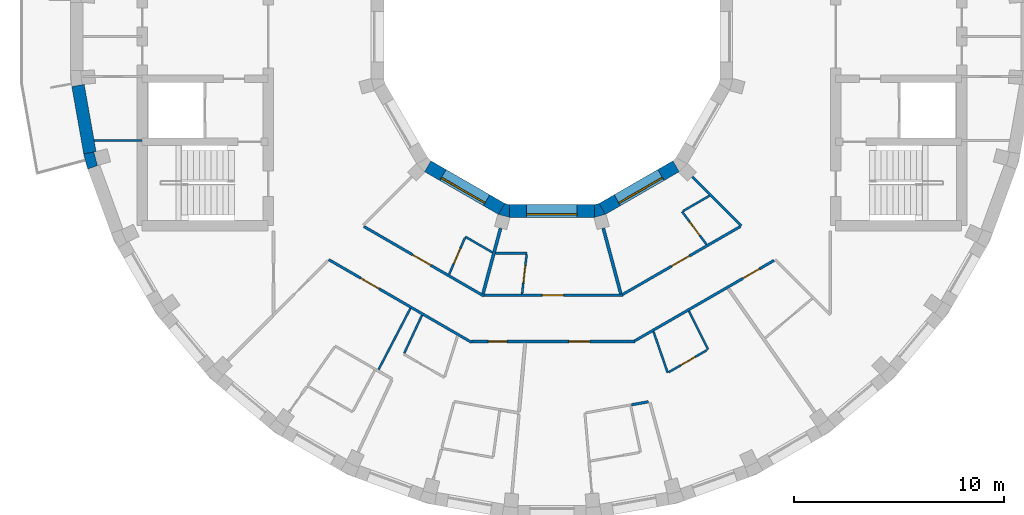
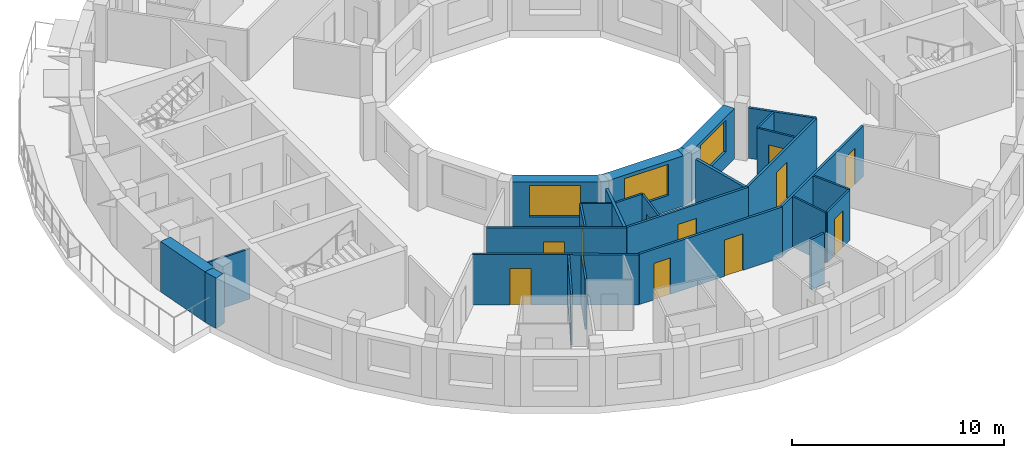
# One storey, part 3 of 10: 29 walls, 11 doors, 3 windows, 14 openings.
"""IFC4 building model written with IfcOpenShell, lengths in metres."""

from ifc_helpers import new_model, si_unit, direction, frame, frame_2d, origin, place, context, subcontext, project, spatial, polyline, rectangle, outline, extrude, material, layer, layer_set, type_object, element, fill, save


model = new_model("IFC4")

# Units and contexts
model_context = context("Model", 3, precision=1e-05, world=origin(), true_north=direction((0.0, 1.0)))
body_context = subcontext(model_context, "Body", "Model", "MODEL_VIEW")
ifc_project = project(units=[si_unit("LENGTHUNIT", "METRE"), si_unit("AREAUNIT", "SQUARE_METRE"), si_unit("VOLUMEUNIT", "CUBIC_METRE"), si_unit("PLANEANGLEUNIT", "RADIAN"), si_unit("MASSUNIT", "GRAM", prefix="KILO")], contexts=[model_context])

# Site, building, storey
site_placement = place(None, origin())
site = spatial("IfcSite", under=ifc_project, at=site_placement, CompositionType="ELEMENT")
building_placement = place(site_placement, origin())
building = spatial("IfcBuilding", under=site, at=building_placement, Name="Saqina Gate Tower", CompositionType="ELEMENT")
storey_placement = place(building_placement, frame((0.0, 0.0, 242.89990234375)))
storey = spatial("IfcBuildingStorey", under=building, at=storey_placement, Name="L69", CompositionType="ELEMENT", Elevation=242.89990234375)

# Walls
ifc_material_1 = material(Name="Brick masonry (buff)", Category="masonry")
wall_type_1 = type_object("IfcWallType", Name="BRICK PIER COPING BUFF", PredefinedType="SOLIDWALL", material=ifc_material_1)
wall_1_placement = place(storey_placement, origin())
element("IfcWall", 1, at=wall_1_placement, inside=storey, type_object=wall_type_1, Name="Pier cap L69 column 20", PredefinedType="SOLIDWALL", context=body_context, shape_type="SweptSolid", body=[
    extrude(outline(polyline([(-22.0869140625, -6.30859375), (-21.52294921875, -6.103515625), (-21.625, -6.130859375), (-21.793212890625, -5.5029296875), (-21.691162109375, -5.4755859375), (-22.281982421875, -5.579833984375), (-22.0869140625, -6.30859375)])), origin(), (0.0, 0.0, 1.0), 2.900146484375),
])
ifc_material_2 = material(Name="Gypsum board on steel studs", Category="steel")
ifc_layer_1 = layer(ifc_material_2, 0.10009765625)
ifc_layer_set_1 = layer_set([ifc_layer_1], Name="CORE PARTITION")
wall_type_2 = type_object("IfcWallType", Name="CORE PARTITION", PredefinedType="PARTITIONING", material=ifc_layer_set_1)
wall_2_placement = place(storey_placement, frame((-19.5, -4.949951171875, 0.0), z_axis=(0.0, 0.0, 1.0), x_axis=(-1.0, 0.0, 0.0)))
element("IfcWall", 2, at=wall_2_placement, inside=storey, type_object=wall_type_2, Name="L69-CP-W04", PredefinedType="PARTITIONING", context=body_context, shape_type="SweptSolid", body=[
    extrude(rectangle(XDim=2.283935546875, YDim=0.10009765625, at=frame_2d((1.14208984375, 0.0))), origin(), (0.0, 0.0, 1.0), 2.900146484375),
])
ifc_material_3 = material(Name="Glazed ceramic tile (white)", Category="ceramic")
ifc_layer_2 = layer(ifc_material_3, 0.60009765625)
ifc_layer_set_2 = layer_set([ifc_layer_2], Name="FW-TILE-WH")
wall_type_3 = type_object("IfcWallType", Name="FW-TILE-WH", PredefinedType="SOLIDWALL", material=ifc_layer_set_2)
wall_3_placement = place(storey_placement, frame((-22.55126953125, -2.325439453125, 0.0), z_axis=(0.0, 0.0, 1.0), x_axis=(0.173656842178, -0.984806225186, 0.0)))
element("IfcWall", 3, at=wall_3_placement, inside=storey, type_object=wall_type_3, Name="Facade wall L69 facet 19", PredefinedType="SOLIDWALL", context=body_context, shape_type="SweptSolid", body=[
    extrude(rectangle(XDim=3.251708984375, YDim=0.60009765625, at=frame_2d((1.6259765625, 0.0))), origin(), (0.0, 0.0, 1.0), 2.900146484375),
])

# Wall, opening, window
ifc_material_4 = material(Name="Glazed ceramic tile", Category="ceramic")
ifc_layer_3 = layer(ifc_material_4, 0.60009765625)
ifc_layer_set_3 = layer_set([ifc_layer_3], Name="IW-TILE")
wall_type_4 = type_object("IfcWallType", Name="IW-TILE", PredefinedType="SOLIDWALL", material=ifc_layer_set_3)
wall_4_placement = place(storey_placement, frame((-5.907470703125, -6.17333984375, 0.0), z_axis=(0.0, 0.0, 1.0), x_axis=(0.866028316509, -0.499994954979, 0.0)))
wall_4 = element("IfcWall", 4, at=wall_4_placement, inside=storey, type_object=wall_type_4, Name="Well wall L69 facet 8", PredefinedType="SOLIDWALL", context=body_context, shape_type="SweptSolid", body=[
    extrude(rectangle(XDim=4.05859375, YDim=0.60009765625, at=frame_2d((2.029296875, 0.0))), origin(), (0.0, 0.0, 1.0), 2.900146484375),
])
opening_1_placement = place(wall_4_placement, frame((0.829345703125, 0.0, 0.89990234375)))
opening_1 = element("IfcOpeningElement", 5, at=opening_1_placement, cuts=wall_4, Name="Opening G20-W32", PredefinedType="OPENING", context=body_context, shape_type="SweptSolid", body=[
    extrude(rectangle(XDim=2.39990234375, YDim=1.800048828125, at=frame_2d((1.199951171875, 0.89990234375))), frame((0.0, 0.31201171875, 0.0), z_axis=(0.0, -1.0, 0.0), x_axis=(1.0, 0.0, 0.0)), (0.0, 0.0, 1.0), 0.6240234375),
])
ifc_material_5 = material(Name="Aluminium glazing", Category="aluminium")
window_type = type_object("IfcWindowType", Name="WN-W", PartitioningType="SINGLE_PANEL", PredefinedType="WINDOW", material=ifc_material_5)
window_1_placement = place(opening_1_placement, origin())
window_1 = element("IfcWindow", 6, at=window_1_placement, inside=storey, type_object=window_type, Name="Well window L69 facet 8", OverallHeight=1.800048828125, OverallWidth=2.39990234375, PartitioningType="SINGLE_PANEL", PredefinedType="WINDOW", context=body_context, shape_type="SweptSolid", body=[
    extrude(rectangle(XDim=2.39990234375, YDim=1.800048828125, at=frame_2d((1.199951171875, 0.89990234375))), frame((0.0, -0.119873046875, 0.0), z_axis=(0.0, -1.0, 0.0), x_axis=(1.0, 0.0, 0.0)), (0.0, 0.0, 1.0), 0.06005859375),
])
fill(opening_1, window_1)

wall_5_placement = place(storey_placement, frame((-2.029296875, -8.300048828125, 0.0), z_axis=(0.0, 0.0, 1.0), x_axis=(1.0, 0.0, 0.0)))
wall_5 = element("IfcWall", 7, at=wall_5_placement, inside=storey, type_object=wall_type_4, Name="Well wall L69 facet 9", PredefinedType="SOLIDWALL", context=body_context, shape_type="SweptSolid", body=[
    extrude(rectangle(XDim=4.05859375, YDim=0.60009765625, at=frame_2d((2.029296875, 0.0))), origin(), (0.0, 0.0, 1.0), 2.900146484375),
])
opening_2_placement = place(wall_5_placement, frame((0.829345703125, 0.0, 0.89990234375)))
opening_2 = element("IfcOpeningElement", 8, at=opening_2_placement, cuts=wall_5, Name="Opening G20-W33", PredefinedType="OPENING", context=body_context, shape_type="SweptSolid", body=[
    extrude(rectangle(XDim=2.39990234375, YDim=1.800048828125, at=frame_2d((1.199951171875, 0.89990234375))), frame((0.0, 0.31201171875, 0.0), z_axis=(0.0, -1.0, 0.0), x_axis=(1.0, 0.0, 0.0)), (0.0, 0.0, 1.0), 0.6240234375),
])
window_2_placement = place(opening_2_placement, origin())
window_2 = element("IfcWindow", 9, at=window_2_placement, inside=storey, type_object=window_type, Name="Well window L69 facet 9", OverallHeight=1.800048828125, OverallWidth=2.39990234375, PartitioningType="SINGLE_PANEL", PredefinedType="WINDOW", context=body_context, shape_type="SweptSolid", body=[
    extrude(rectangle(XDim=2.39990234375, YDim=1.800048828125, at=frame_2d((1.199951171875, 0.89990234375))), frame((0.0, -0.119873046875, 0.0), z_axis=(0.0, -1.0, 0.0), x_axis=(1.0, 0.0, 0.0)), (0.0, 0.0, 1.0), 0.06005859375),
])
fill(opening_2, window_2)

wall_6_placement = place(storey_placement, frame((2.392578125, -8.20263671875, 0.0), z_axis=(0.0, 0.0, 1.0), x_axis=(0.866028316509, 0.499994954979, 0.0)))
wall_6 = element("IfcWall", 10, at=wall_6_placement, inside=storey, type_object=wall_type_4, Name="Well wall L69 facet 10", PredefinedType="SOLIDWALL", context=body_context, shape_type="SweptSolid", body=[
    extrude(rectangle(XDim=4.05859375, YDim=0.60009765625, at=frame_2d((2.029296875, 0.0))), origin(), (0.0, 0.0, 1.0), 2.900146484375),
])
opening_3_placement = place(wall_6_placement, frame((0.829345703125, 0.0, 0.89990234375)))
opening_3 = element("IfcOpeningElement", 11, at=opening_3_placement, cuts=wall_6, Name="Opening G20-W34", PredefinedType="OPENING", context=body_context, shape_type="SweptSolid", body=[
    extrude(rectangle(XDim=2.39990234375, YDim=1.800048828125, at=frame_2d((1.199951171875, 0.89990234375))), frame((0.0, 0.31201171875, 0.0), z_axis=(0.0, -1.0, 0.0), x_axis=(1.0, 0.0, 0.0)), (0.0, 0.0, 1.0), 0.6240234375),
])
window_3_placement = place(opening_3_placement, origin())
window_3 = element("IfcWindow", 12, at=window_3_placement, inside=storey, type_object=window_type, Name="Well window L69 facet 10", OverallHeight=1.800048828125, OverallWidth=2.39990234375, PartitioningType="SINGLE_PANEL", PredefinedType="WINDOW", context=body_context, shape_type="SweptSolid", body=[
    extrude(rectangle(XDim=2.39990234375, YDim=1.800048828125, at=frame_2d((1.199951171875, 0.89990234375))), frame((0.0, -0.119873046875, 0.0), z_axis=(0.0, -1.0, 0.0), x_axis=(1.0, 0.0, 0.0)), (0.0, 0.0, 1.0), 0.06005859375),
])
fill(opening_3, window_3)

# Walls
ifc_material_6 = material(Name="Gypsum board on steel studs, 100 mm", Category="steel")
ifc_layer_4 = layer(ifc_material_6, 0.10009765625)
ifc_layer_set_4 = layer_set([ifc_layer_4], Name="PARTITION 100")
wall_type_5 = type_object("IfcWallType", Name="PARTITION 100", PredefinedType="PARTITIONING", material=ifc_layer_set_4)
wall_7_placement = place(storey_placement, frame((4.83251953125, -14.035400390625, 0.0), z_axis=(0.0, 0.0, 1.0), x_axis=(0.325747589184, -0.945456772222, 0.0)))
element("IfcWall", 13, at=wall_7_placement, inside=storey, type_object=wall_type_5, Name="PARTITION PW3-08", PredefinedType="PARTITIONING", context=body_context, shape_type="SweptSolid", body=[
    extrude(rectangle(XDim=2.07373046875, YDim=0.10009765625, at=frame_2d((1.036865234375, 0.0))), origin(), (0.0, 0.0, 1.0), 2.900146484375),
])
wall_8_placement = place(storey_placement, frame((6.51904296875, -13.06298828125, 0.0), z_axis=(0.0, 0.0, 1.0), x_axis=(0.446207639569, -0.894929462243, 0.0)))
element("IfcWall", 14, at=wall_8_placement, inside=storey, type_object=wall_type_5, Name="PARTITION PW3-11", PredefinedType="PARTITIONING", context=body_context, shape_type="SweptSolid", body=[
    extrude(rectangle(XDim=2.039306640625, YDim=0.10009765625, at=frame_2d((1.01953125, 0.0))), origin(), (0.0, 0.0, 1.0), 2.900146484375),
])

# Wall, opening, door
wall_9_placement = place(storey_placement, frame((6.19189453125, -8.330078125, 0.0), z_axis=(0.0, 0.0, 1.0), x_axis=(0.596570512615, -0.802560666541, 0.0)))
wall_9 = element("IfcWall", 15, at=wall_9_placement, inside=storey, type_object=wall_type_5, Name="PARTITION PW3-13", PredefinedType="PARTITIONING", context=body_context, shape_type="SweptSolid", body=[
    extrude(rectangle(XDim=1.950927734375, YDim=0.10009765625, at=frame_2d((0.9755859375, 0.0))), origin(), (0.0, 0.0, 1.0), 2.900146484375),
])
opening_4_placement = place(wall_9_placement, frame((0.606689453125, 0.0, 0.0)))
opening_4 = element("IfcOpeningElement", 16, at=opening_4_placement, cuts=wall_9, Name="Opening G20-D38", PredefinedType="OPENING", context=body_context, shape_type="SweptSolid", body=[
    extrude(rectangle(XDim=0.800048828125, YDim=2.10009765625, at=frame_2d((0.39990234375, 1.050048828125))), frame((0.0, 0.06201171875, 0.0), z_axis=(0.0, -1.0, 0.0), x_axis=(1.0, 0.0, 0.0)), (0.0, 0.0, 1.0), 0.1240234375),
])
ifc_material_7 = material(Name="Timber door leaf, 800 mm", Category="wood")
door_type_1 = type_object("IfcDoorType", Name="DOOR 800 TIMBER", OperationType="SINGLE_SWING_LEFT", PredefinedType="DOOR", material=ifc_material_7)
door_1_placement = place(opening_4_placement, frame((0.800048828125, 0.0, 0.0), z_axis=(0.0, 0.0, 1.0), x_axis=(-1.0, 0.0, 0.0)))
door_1 = element("IfcDoor", 17, at=door_1_placement, inside=storey, type_object=door_type_1, Name="DOOR G20-D38", OperationType="SINGLE_SWING_LEFT", OverallHeight=2.10009765625, OverallWidth=0.800048828125, PredefinedType="DOOR", context=body_context, shape_type="SweptSolid", body=[
    extrude(rectangle(XDim=0.800048828125, YDim=2.10009765625, at=frame_2d((0.39990234375, 1.050048828125))), frame((0.0, 0.02490234375, 0.0), z_axis=(0.0, -1.0, 0.0), x_axis=(1.0, 0.0, 0.0)), (0.0, 0.0, 1.0), 0.050048828125),
])
fill(opening_4, door_1)

# Walls
wall_10_placement = place(storey_placement, frame((-4.117919921875, -9.527099609375, 0.0), z_axis=(0.0, 0.0, 1.0), x_axis=(0.865863495864, -0.500280327947, 0.0)))
element("IfcWall", 18, at=wall_10_placement, inside=storey, type_object=wall_type_5, Name="PARTITION PW3-19", PredefinedType="PARTITIONING", context=body_context, shape_type="SweptSolid", body=[
    extrude(rectangle(XDim=1.489990234375, YDim=0.10009765625, at=frame_2d((0.7451171875, 0.0))), origin(), (0.0, 0.0, 1.0), 2.900146484375),
])
wall_11_placement = place(storey_placement, frame((-2.68798828125, -10.31005859375, 0.0), z_axis=(0.0, 0.0, 1.0), x_axis=(1.0, 0.0, 0.0)))
element("IfcWall", 19, at=wall_11_placement, inside=storey, type_object=wall_type_5, Name="PARTITION PW3-25", PredefinedType="PARTITIONING", context=body_context, shape_type="SweptSolid", body=[
    extrude(rectangle(XDim=1.490966796875, YDim=0.10009765625, at=frame_2d((0.74560546875, 0.0))), origin(), (0.0, 0.0, 1.0), 2.900146484375),
])

# Wall, opening, door
wall_12_placement = place(storey_placement, frame((5.553955078125, -15.972900390625, 0.0), z_axis=(0.0, 0.0, 1.0), x_axis=(0.866072001774, 0.499919281227, 0.0)))
wall_12 = element("IfcWall", 20, at=wall_12_placement, inside=storey, type_object=wall_type_5, Name="PARTITION PW3-33", PredefinedType="PARTITIONING", context=body_context, shape_type="SweptSolid", body=[
    extrude(rectangle(XDim=2.111572265625, YDim=0.10009765625, at=frame_2d((1.0556640625, 0.0))), origin(), (0.0, 0.0, 1.0), 2.900146484375),
])
opening_5_placement = place(wall_12_placement, frame((0.65576171875, 0.0, 0.0)))
opening_5 = element("IfcOpeningElement", 21, at=opening_5_placement, cuts=wall_12, Name="Opening G20-D36", PredefinedType="OPENING", context=body_context, shape_type="SweptSolid", body=[
    extrude(rectangle(XDim=0.800048828125, YDim=2.10009765625, at=frame_2d((0.39990234375, 1.050048828125))), frame((0.0, 0.06201171875, 0.0), z_axis=(0.0, -1.0, 0.0), x_axis=(1.0, 0.0, 0.0)), (0.0, 0.0, 1.0), 0.1240234375),
])
door_2_placement = place(opening_5_placement, frame((0.800048828125, 0.0, 0.0), z_axis=(0.0, 0.0, 1.0), x_axis=(-1.0, 0.0, 0.0)))
door_2 = element("IfcDoor", 22, at=door_2_placement, inside=storey, type_object=door_type_1, Name="DOOR G20-D36", OperationType="SINGLE_SWING_RIGHT", OverallHeight=2.10009765625, OverallWidth=0.800048828125, PredefinedType="DOOR", context=body_context, shape_type="SweptSolid", body=[
    extrude(rectangle(XDim=0.800048828125, YDim=2.10009765625, at=frame_2d((0.39990234375, 1.050048828125))), frame((0.0, 0.02490234375, 0.0), z_axis=(0.0, -1.0, 0.0), x_axis=(1.0, 0.0, 0.0)), (0.0, 0.0, 1.0), 0.050048828125),
])
fill(opening_5, door_2)

# Walls
wall_13_placement = place(storey_placement, frame((6.2353515625, -8.304931640625, 0.0), z_axis=(0.0, 0.0, 1.0), x_axis=(0.865874781837, 0.500260794165, 0.0)))
element("IfcWall", 23, at=wall_13_placement, inside=storey, type_object=wall_type_5, Name="PARTITION PW3-34", PredefinedType="PARTITIONING", context=body_context, shape_type="SweptSolid", body=[
    extrude(rectangle(XDim=1.452392578125, YDim=0.10009765625, at=frame_2d((0.72607421875, 0.0))), origin(), (0.0, 0.0, 1.0), 2.900146484375),
])
wall_14_placement = place(storey_placement, frame((-8.250244140625, -15.8466796875, 0.0), z_axis=(0.0, 0.0, 1.0), x_axis=(0.461751333764, 0.887009416955, 0.0)))
element("IfcWall", 24, at=wall_14_placement, inside=storey, type_object=wall_type_5, Name="PARTITION PW3-44", PredefinedType="PARTITIONING", context=body_context, shape_type="SweptSolid", body=[
    extrude(rectangle(XDim=3.278076171875, YDim=0.10009765625, at=frame_2d((1.63916015625, 0.0))), origin(), (0.0, 0.0, 1.0), 2.900146484375),
])
wall_15_placement = place(storey_placement, frame((-7.02587890625, -15.065673828125, 0.0), z_axis=(0.0, 0.0, 1.0), x_axis=(0.422771582019, 0.906236276827, 0.0)))
element("IfcWall", 25, at=wall_15_placement, inside=storey, type_object=wall_type_5, Name="PARTITION PW3-45", PredefinedType="PARTITIONING", context=body_context, shape_type="SweptSolid", body=[
    extrude(rectangle(XDim=1.9951171875, YDim=0.10009765625, at=frame_2d((0.99755859375, 0.0))), origin(), (0.0, 0.0, 1.0), 2.900146484375),
])

# Wall, opening, door
wall_16_placement = place(storey_placement, frame((-4.89208984375, -11.317626953125, 0.0), z_axis=(0.0, 0.0, 1.0), x_axis=(0.396785383472, 0.917911411555, 0.0)))
wall_16 = element("IfcWall", 26, at=wall_16_placement, inside=storey, type_object=wall_type_5, Name="PARTITION PW3-46", PredefinedType="PARTITIONING", context=body_context, shape_type="SweptSolid", body=[
    extrude(rectangle(XDim=1.900634765625, YDim=0.10009765625, at=frame_2d((0.9501953125, 0.0))), origin(), (0.0, 0.0, 1.0), 2.900146484375),
])
opening_6_placement = place(wall_16_placement, frame((0.544189453125, 0.0, 0.0)))
opening_6 = element("IfcOpeningElement", 27, at=opening_6_placement, cuts=wall_16, Name="Opening G20-D26", PredefinedType="OPENING", context=body_context, shape_type="SweptSolid", body=[
    extrude(rectangle(XDim=0.800048828125, YDim=2.10009765625, at=frame_2d((0.39990234375, 1.050048828125))), frame((0.0, 0.06201171875, 0.0), z_axis=(0.0, -1.0, 0.0), x_axis=(1.0, 0.0, 0.0)), (0.0, 0.0, 1.0), 0.1240234375),
])
door_3_placement = place(opening_6_placement, origin())
door_3 = element("IfcDoor", 28, at=door_3_placement, inside=storey, type_object=door_type_1, Name="DOOR G20-D26", OperationType="SINGLE_SWING_LEFT", OverallHeight=2.10009765625, OverallWidth=0.800048828125, PredefinedType="DOOR", context=body_context, shape_type="SweptSolid", body=[
    extrude(rectangle(XDim=0.800048828125, YDim=2.10009765625, at=frame_2d((0.39990234375, 1.050048828125))), frame((0.0, 0.02490234375, 0.0), z_axis=(0.0, -1.0, 0.0), x_axis=(1.0, 0.0, 0.0)), (0.0, 0.0, 1.0), 0.050048828125),
])
fill(opening_6, door_3)

wall_17_placement = place(storey_placement, frame((-1.421875, -12.247802734375, 0.0), z_axis=(0.0, 0.0, 1.0), x_axis=(0.115209091431, 0.993341263238, 0.0)))
wall_17 = element("IfcWall", 29, at=wall_17_placement, inside=storey, type_object=wall_type_5, Name="PARTITION PW3-51", PredefinedType="PARTITIONING", context=body_context, shape_type="SweptSolid", body=[
    extrude(rectangle(XDim=1.90087890625, YDim=0.10009765625, at=frame_2d((0.950439453125, 0.0))), origin(), (0.0, 0.0, 1.0), 2.900146484375),
])
opening_7_placement = place(wall_17_placement, frame((0.544189453125, 0.0, 0.0)))
opening_7 = element("IfcOpeningElement", 30, at=opening_7_placement, cuts=wall_17, Name="Opening G20-D31", PredefinedType="OPENING", context=body_context, shape_type="SweptSolid", body=[
    extrude(rectangle(XDim=0.800048828125, YDim=2.10009765625, at=frame_2d((0.39990234375, 1.050048828125))), frame((0.0, 0.06201171875, 0.0), z_axis=(0.0, -1.0, 0.0), x_axis=(1.0, 0.0, 0.0)), (0.0, 0.0, 1.0), 0.1240234375),
])
door_4_placement = place(opening_7_placement, frame((0.800048828125, 0.0, 0.0), z_axis=(0.0, 0.0, 1.0), x_axis=(-1.0, 0.0, 0.0)))
door_4 = element("IfcDoor", 31, at=door_4_placement, inside=storey, type_object=door_type_1, Name="DOOR G20-D31", OperationType="SINGLE_SWING_RIGHT", OverallHeight=2.10009765625, OverallWidth=0.800048828125, PredefinedType="DOOR", context=body_context, shape_type="SweptSolid", body=[
    extrude(rectangle(XDim=0.800048828125, YDim=2.10009765625, at=frame_2d((0.39990234375, 1.050048828125))), frame((0.0, 0.02490234375, 0.0), z_axis=(0.0, -1.0, 0.0), x_axis=(1.0, 0.0, 0.0)), (0.0, 0.0, 1.0), 0.050048828125),
])
fill(opening_7, door_4)

# Wall
ifc_material_8 = material(Name="Gypsum board on steel studs, 125 mm, fire rated", Category="steel")
ifc_layer_5 = layer(ifc_material_8, 0.125)
ifc_layer_set_5 = layer_set([ifc_layer_5], Name="PARTITION EI 30 125")
wall_type_6 = type_object("IfcWallType", Name="PARTITION EI 30 125", PredefinedType="PARTITIONING", material=ifc_layer_set_5)
wall_18_placement = place(storey_placement, frame((6.6767578125, -6.6767578125, 0.0), z_axis=(0.0, 0.0, 1.0), x_axis=(0.707106781187, -0.707106781187, 0.0)))
element("IfcWall", 32, at=wall_18_placement, inside=storey, type_object=wall_type_6, Name="PARTITION PW1-08", PredefinedType="PARTITIONING", context=body_context, shape_type="SweptSolid", body=[
    extrude(rectangle(XDim=3.302490234375, YDim=0.125, at=frame_2d((1.6513671875, 0.0))), origin(), (0.0, 0.0, 1.0), 2.900146484375),
])

# Wall, opening, door
wall_19_placement = place(storey_placement, frame((-10.6181640625, -10.615234375, 0.0), z_axis=(0.0, 0.0, 1.0), x_axis=(0.865323364785, -0.501214000561, 0.0)))
wall_19 = element("IfcWall", 33, at=wall_19_placement, inside=storey, type_object=wall_type_6, Name="PARTITION PW1-10", PredefinedType="PARTITIONING", context=body_context, shape_type="SweptSolid", body=[
    extrude(rectangle(XDim=7.85107421875, YDim=0.125, at=frame_2d((3.925537109375, 0.0))), origin(), (0.0, 0.0, 1.0), 2.900146484375),
])
opening_8_placement = place(wall_19_placement, frame((1.759765625, 0.0, 0.0)))
opening_8 = element("IfcOpeningElement", 34, at=opening_8_placement, cuts=wall_19, Name="Opening G20-D22", PredefinedType="OPENING", context=body_context, shape_type="SweptSolid", body=[
    extrude(rectangle(XDim=1.0, YDim=2.10009765625, at=frame_2d((0.5, 1.050048828125))), frame((0.0, 0.074462890625, 0.0), z_axis=(0.0, -1.0, 0.0), x_axis=(1.0, 0.0, 0.0)), (0.0, 0.0, 1.0), 0.14892578125),
])
ifc_material_9 = material(Name="Fire door leaf EI 30, 1000 mm")
door_type_2 = type_object("IfcDoorType", Name="DOOR 1000 EI 30", OperationType="SINGLE_SWING_LEFT", PredefinedType="DOOR", material=ifc_material_9)
door_5_placement = place(opening_8_placement, frame((1.0, 0.0, 0.0), z_axis=(0.0, 0.0, 1.0), x_axis=(-1.0, 0.0, 0.0)))
door_5 = element("IfcDoor", 35, at=door_5_placement, inside=storey, type_object=door_type_2, Name="DOOR G20-D22", OperationType="SINGLE_SWING_RIGHT", OverallHeight=2.10009765625, OverallWidth=1.0, PredefinedType="DOOR", context=body_context, shape_type="SweptSolid", body=[
    extrude(rectangle(XDim=1.0, YDim=2.10009765625, at=frame_2d((0.5, 1.050048828125))), frame((0.0, 0.02490234375, 0.0), z_axis=(0.0, -1.0, 0.0), x_axis=(1.0, 0.0, 0.0)), (0.0, 0.0, 1.0), 0.050048828125),
])
fill(opening_8, door_5)

wall_20_placement = place(storey_placement, frame((-8.953369140625, -9.03564453125, 0.0), z_axis=(0.0, 0.0, 1.0), x_axis=(0.865185064951, -0.501452693068, 0.0)))
wall_20 = element("IfcWall", 36, at=wall_20_placement, inside=storey, type_object=wall_type_6, Name="PARTITION PW1-11", PredefinedType="PARTITIONING", context=body_context, shape_type="SweptSolid", body=[
    extrude(rectangle(XDim=6.608642578125, YDim=0.125, at=frame_2d((3.30419921875, 0.0))), origin(), (0.0, 0.0, 1.0), 2.900146484375),
])
opening_9_placement = place(wall_20_placement, frame((2.68505859375, 0.0, 0.0)))
opening_9 = element("IfcOpeningElement", 37, at=opening_9_placement, cuts=wall_20, Name="Opening G20-D25", PredefinedType="OPENING", context=body_context, shape_type="SweptSolid", body=[
    extrude(rectangle(XDim=1.0, YDim=2.10009765625, at=frame_2d((0.5, 1.050048828125))), frame((0.0, 0.074462890625, 0.0), z_axis=(0.0, -1.0, 0.0), x_axis=(1.0, 0.0, 0.0)), (0.0, 0.0, 1.0), 0.14892578125),
])
door_6_placement = place(opening_9_placement, origin())
door_6 = element("IfcDoor", 38, at=door_6_placement, inside=storey, type_object=door_type_2, Name="DOOR G20-D25", OperationType="SINGLE_SWING_LEFT", OverallHeight=2.10009765625, OverallWidth=1.0, PredefinedType="DOOR", context=body_context, shape_type="SweptSolid", body=[
    extrude(rectangle(XDim=1.0, YDim=2.10009765625, at=frame_2d((0.5, 1.050048828125))), frame((0.0, 0.02490234375, 0.0), z_axis=(0.0, -1.0, 0.0), x_axis=(1.0, 0.0, 0.0)), (0.0, 0.0, 1.0), 0.050048828125),
])
fill(opening_9, door_6)

# Wall, openings, doors
wall_21_placement = place(storey_placement, frame((-3.824462890625, -14.510009765625, 0.0), z_axis=(0.0, 0.0, 1.0), x_axis=(1.0, 0.0, 0.0)))
wall_21 = element("IfcWall", 39, at=wall_21_placement, inside=storey, type_object=wall_type_6, Name="PARTITION PW1-17", PredefinedType="PARTITIONING", context=body_context, shape_type="SweptSolid", body=[
    extrude(rectangle(XDim=7.78466796875, YDim=0.125, at=frame_2d((3.892333984375, 0.0))), origin(), (0.0, 0.0, 1.0), 2.900146484375),
])
opening_10_placement = place(wall_21_placement, frame((0.7958984375, 0.0, 0.0)))
opening_10 = element("IfcOpeningElement", 40, at=opening_10_placement, cuts=wall_21, Name="Opening G20-D30", PredefinedType="OPENING", context=body_context, shape_type="SweptSolid", body=[
    extrude(rectangle(XDim=0.89990234375, YDim=2.10009765625, at=frame_2d((0.449951171875, 1.050048828125))), frame((0.0, 0.074462890625, 0.0), z_axis=(0.0, -1.0, 0.0), x_axis=(1.0, 0.0, 0.0)), (0.0, 0.0, 1.0), 0.14892578125),
])
opening_11_placement = place(wall_21_placement, frame((4.634033203125, 0.0, 0.0)))
opening_11 = element("IfcOpeningElement", 41, at=opening_11_placement, cuts=wall_21, Name="Opening G20-D34", PredefinedType="OPENING", context=body_context, shape_type="SweptSolid", body=[
    extrude(rectangle(XDim=1.0, YDim=2.10009765625, at=frame_2d((0.5, 1.050048828125))), frame((0.0, 0.074462890625, 0.0), z_axis=(0.0, -1.0, 0.0), x_axis=(1.0, 0.0, 0.0)), (0.0, 0.0, 1.0), 0.14892578125),
])
door_7_placement = place(opening_11_placement, origin())
door_7 = element("IfcDoor", 42, at=door_7_placement, inside=storey, type_object=door_type_2, Name="DOOR G20-D34", OperationType="SINGLE_SWING_RIGHT", OverallHeight=2.10009765625, OverallWidth=1.0, PredefinedType="DOOR", context=body_context, shape_type="SweptSolid", body=[
    extrude(rectangle(XDim=1.0, YDim=2.10009765625, at=frame_2d((0.5, 1.050048828125))), frame((0.0, 0.02490234375, 0.0), z_axis=(0.0, -1.0, 0.0), x_axis=(1.0, 0.0, 0.0)), (0.0, 0.0, 1.0), 0.050048828125),
])
fill(opening_11, door_7)
ifc_material_10 = material(Name="Fire door leaf EI 30, 900 mm")
door_type_3 = type_object("IfcDoorType", Name="DOOR 900 EI 30", OperationType="SINGLE_SWING_LEFT", PredefinedType="DOOR", material=ifc_material_10)
door_8_placement = place(opening_10_placement, frame((0.89990234375, 0.0, 0.0), z_axis=(0.0, 0.0, 1.0), x_axis=(-1.0, 0.0, 0.0)))
door_8 = element("IfcDoor", 43, at=door_8_placement, inside=storey, type_object=door_type_3, Name="DOOR G20-D30", OperationType="SINGLE_SWING_RIGHT", OverallHeight=2.10009765625, OverallWidth=0.89990234375, PredefinedType="DOOR", context=body_context, shape_type="SweptSolid", body=[
    extrude(rectangle(XDim=0.89990234375, YDim=2.10009765625, at=frame_2d((0.449951171875, 1.050048828125))), frame((0.0, 0.02490234375, 0.0), z_axis=(0.0, -1.0, 0.0), x_axis=(1.0, 0.0, 0.0)), (0.0, 0.0, 1.0), 0.050048828125),
])
fill(opening_10, door_8)

# Wall, opening, door
wall_22_placement = place(storey_placement, frame((-3.235595703125, -12.31005859375, 0.0), z_axis=(0.0, 0.0, 1.0), x_axis=(1.0, 0.0, 0.0)))
wall_22 = element("IfcWall", 44, at=wall_22_placement, inside=storey, type_object=wall_type_6, Name="PARTITION PW1-18", PredefinedType="PARTITIONING", context=body_context, shape_type="SweptSolid", body=[
    extrude(rectangle(XDim=6.6201171875, YDim=0.125, at=frame_2d((3.31005859375, 0.0))), origin(), (0.0, 0.0, 1.0), 2.900146484375),
])
opening_12_placement = place(wall_22_placement, frame((2.78662109375, 0.0, 0.0)))
opening_12 = element("IfcOpeningElement", 45, at=opening_12_placement, cuts=wall_22, Name="Opening G20-D32", PredefinedType="OPENING", context=body_context, shape_type="SweptSolid", body=[
    extrude(rectangle(XDim=1.0, YDim=2.10009765625, at=frame_2d((0.5, 1.050048828125))), frame((0.0, 0.074462890625, 0.0), z_axis=(0.0, -1.0, 0.0), x_axis=(1.0, 0.0, 0.0)), (0.0, 0.0, 1.0), 0.14892578125),
])
door_9_placement = place(opening_12_placement, origin())
door_9 = element("IfcDoor", 46, at=door_9_placement, inside=storey, type_object=door_type_2, Name="DOOR G20-D32", OperationType="SINGLE_SWING_LEFT", OverallHeight=2.10009765625, OverallWidth=1.0, PredefinedType="DOOR", context=body_context, shape_type="SweptSolid", body=[
    extrude(rectangle(XDim=1.0, YDim=2.10009765625, at=frame_2d((0.5, 1.050048828125))), frame((0.0, 0.02490234375, 0.0), z_axis=(0.0, -1.0, 0.0), x_axis=(1.0, 0.0, 0.0)), (0.0, 0.0, 1.0), 0.050048828125),
])
fill(opening_12, door_9)

# Wall
wall_23_placement = place(storey_placement, frame((3.787353515625, -17.521240234375, 0.0), z_axis=(0.0, 0.0, 1.0), x_axis=(0.984747422564, 0.173989981764, 0.0)))
element("IfcWall", 47, at=wall_23_placement, inside=storey, type_object=wall_type_6, Name="PARTITION PW1-21", PredefinedType="PARTITIONING", context=body_context, shape_type="SweptSolid", body=[
    extrude(rectangle(XDim=0.816650390625, YDim=0.125, at=frame_2d((0.408203125, 0.0))), origin(), (0.0, 0.0, 1.0), 2.900146484375),
])

# Wall, opening, door
wall_24_placement = place(storey_placement, frame((3.942138671875, -14.478759765625, 0.0), z_axis=(0.0, 0.0, 1.0), x_axis=(0.866021382195, 0.500006965533, 0.0)))
wall_24 = element("IfcWall", 48, at=wall_24_placement, inside=storey, type_object=wall_type_6, Name="PARTITION PW1-24", PredefinedType="PARTITIONING", context=body_context, shape_type="SweptSolid", body=[
    extrude(rectangle(XDim=7.65087890625, YDim=0.125, at=frame_2d((3.825439453125, 0.0))), origin(), (0.0, 0.0, 1.0), 2.900146484375),
])
opening_13_placement = place(wall_24_placement, frame((5.9541015625, 0.0, 0.0)))
opening_13 = element("IfcOpeningElement", 49, at=opening_13_placement, cuts=wall_24, Name="Opening G20-D40", PredefinedType="OPENING", context=body_context, shape_type="SweptSolid", body=[
    extrude(rectangle(XDim=0.89990234375, YDim=2.10009765625, at=frame_2d((0.449951171875, 1.050048828125))), frame((0.0, 0.074462890625, 0.0), z_axis=(0.0, -1.0, 0.0), x_axis=(1.0, 0.0, 0.0)), (0.0, 0.0, 1.0), 0.14892578125),
])
door_10_placement = place(opening_13_placement, frame((0.89990234375, 0.0, 0.0), z_axis=(0.0, 0.0, 1.0), x_axis=(-1.0, 0.0, 0.0)))
door_10 = element("IfcDoor", 50, at=door_10_placement, inside=storey, type_object=door_type_3, Name="DOOR G20-D40", OperationType="SINGLE_SWING_LEFT", OverallHeight=2.10009765625, OverallWidth=0.89990234375, PredefinedType="DOOR", context=body_context, shape_type="SweptSolid", body=[
    extrude(rectangle(XDim=0.89990234375, YDim=2.10009765625, at=frame_2d((0.449951171875, 1.050048828125))), frame((0.0, 0.02490234375, 0.0), z_axis=(0.0, -1.0, 0.0), x_axis=(1.0, 0.0, 0.0)), (0.0, 0.0, 1.0), 0.050048828125),
])
fill(opening_13, door_10)

wall_25_placement = place(storey_placement, frame((3.363037109375, -12.2724609375, 0.0), z_axis=(0.0, 0.0, 1.0), x_axis=(0.866083637917, 0.499899121956, 0.0)))
wall_25 = element("IfcWall", 51, at=wall_25_placement, inside=storey, type_object=wall_type_6, Name="PARTITION PW1-25", PredefinedType="PARTITIONING", context=body_context, shape_type="SweptSolid", body=[
    extrude(rectangle(XDim=6.459716796875, YDim=0.125, at=frame_2d((3.22998046875, 0.0))), origin(), (0.0, 0.0, 1.0), 2.900146484375),
])
opening_14_placement = place(wall_25_placement, frame((2.673095703125, 0.0, 0.0)))
opening_14 = element("IfcOpeningElement", 52, at=opening_14_placement, cuts=wall_25, Name="Opening G20-D37", PredefinedType="OPENING", context=body_context, shape_type="SweptSolid", body=[
    extrude(rectangle(XDim=1.0, YDim=2.10009765625, at=frame_2d((0.5, 1.050048828125))), frame((0.0, 0.074462890625, 0.0), z_axis=(0.0, -1.0, 0.0), x_axis=(1.0, 0.0, 0.0)), (0.0, 0.0, 1.0), 0.14892578125),
])
door_11_placement = place(opening_14_placement, origin())
door_11 = element("IfcDoor", 53, at=door_11_placement, inside=storey, type_object=door_type_2, Name="DOOR G20-D37", OperationType="SINGLE_SWING_LEFT", OverallHeight=2.10009765625, OverallWidth=1.0, PredefinedType="DOOR", context=body_context, shape_type="SweptSolid", body=[
    extrude(rectangle(XDim=1.0, YDim=2.10009765625, at=frame_2d((0.5, 1.050048828125))), frame((0.0, 0.02490234375, 0.0), z_axis=(0.0, -1.0, 0.0), x_axis=(1.0, 0.0, 0.0)), (0.0, 0.0, 1.0), 0.050048828125),
])
fill(opening_14, door_11)

# Walls
ifc_material_11 = material(Name="Gypsum board on steel studs, 150 mm, fire rated", Category="steel")
ifc_layer_6 = layer(ifc_material_11, 0.14990234375)
ifc_layer_set_6 = layer_set([ifc_layer_6], Name="PARTITION EI 60 150")
wall_type_7 = type_object("IfcWallType", Name="PARTITION EI 60 150", PredefinedType="PARTITIONING", material=ifc_layer_set_6)
wall_26_placement = place(storey_placement, frame((2.44384765625, -9.12060546875, 0.0), z_axis=(0.0, 0.0, 1.0), x_axis=(0.258356832743, -0.966049557205, 0.0)))
element("IfcWall", 54, at=wall_26_placement, inside=storey, type_object=wall_type_7, Name="PARTITION PW2-02", PredefinedType="PARTITIONING", context=body_context, shape_type="SweptSolid", body=[
    extrude(rectangle(XDim=3.2392578125, YDim=0.14990234375, at=frame_2d((1.61962890625, 0.0))), origin(), (0.0, 0.0, 1.0), 2.900146484375),
])
wall_27_placement = place(storey_placement, frame((-3.282470703125, -12.24951171875, 0.0), z_axis=(0.0, 0.0, 1.0), x_axis=(0.258727295272, 0.965950405912, 0.0)))
element("IfcWall", 55, at=wall_27_placement, inside=storey, type_object=wall_type_7, Name="PARTITION PW2-06", PredefinedType="PARTITIONING", context=body_context, shape_type="SweptSolid", body=[
    extrude(rectangle(XDim=3.239501953125, YDim=0.14990234375, at=frame_2d((1.61962890625, 0.0))), origin(), (0.0, 0.0, 1.0), 2.900146484375),
])
ifc_material_12 = material(Name="Glazed ceramic tile", Category="ceramic")
wall_type_8 = type_object("IfcWallType", Name="TILE PIER COPING", PredefinedType="SOLIDWALL", material=ifc_material_12)
wall_28_placement = place(storey_placement, origin())
element("IfcWall", 56, at=wall_28_placement, inside=storey, type_object=wall_type_8, Name="Well pier cap L69 column 9", PredefinedType="SOLIDWALL", context=body_context, shape_type="SweptSolid", body=[
    extrude(outline(polyline([(-2.029296875, -8.60009765625), (-2.029296875, -8.0), (-2.242431640625, -7.94287109375), (-2.54248046875, -8.46240234375), (-2.029296875, -8.60009765625)])), origin(), (0.0, 0.0, 1.0), 2.900146484375),
])
wall_29_placement = place(storey_placement, origin())
element("IfcWall", 57, at=wall_29_placement, inside=storey, type_object=wall_type_8, Name="Well pier cap L69 column 10", PredefinedType="SOLIDWALL", context=body_context, shape_type="SweptSolid", body=[
    extrude(outline(polyline([(2.54248046875, -8.46240234375), (2.242431640625, -7.94287109375), (2.029296875, -8.0), (2.029296875, -8.60009765625), (2.54248046875, -8.46240234375)])), origin(), (0.0, 0.0, 1.0), 2.900146484375),
])

save(model, "model.ifc")
